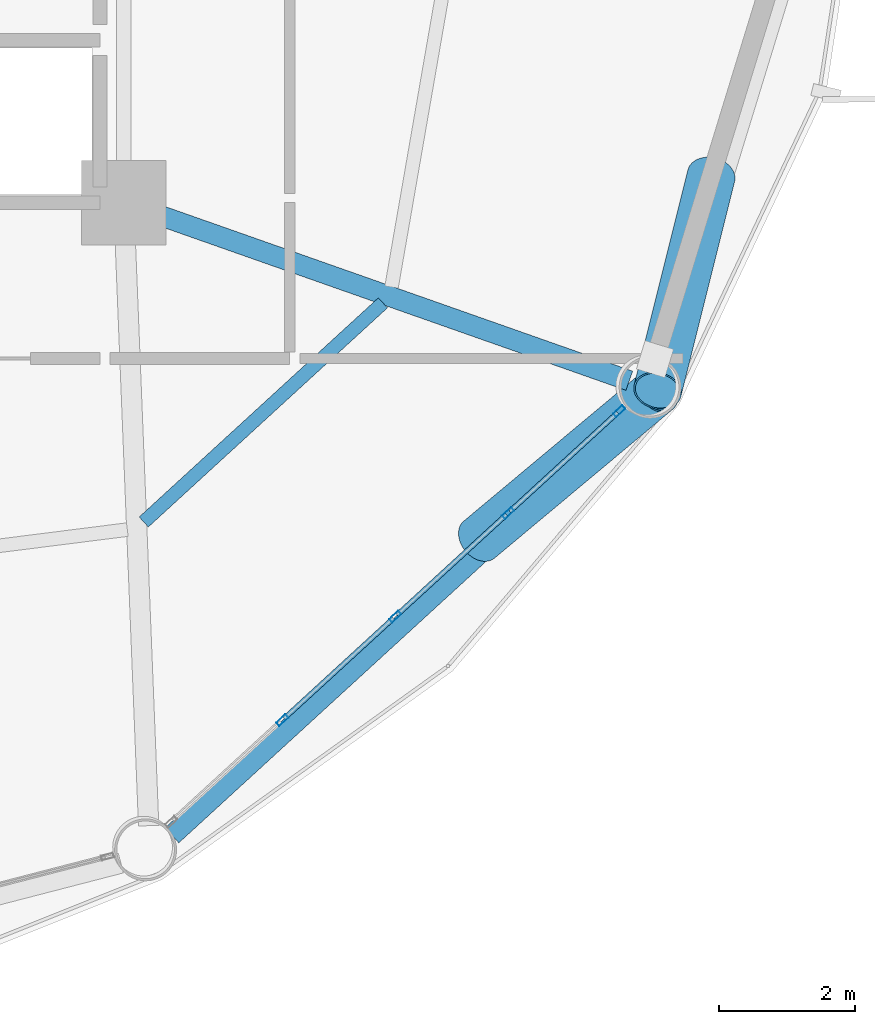
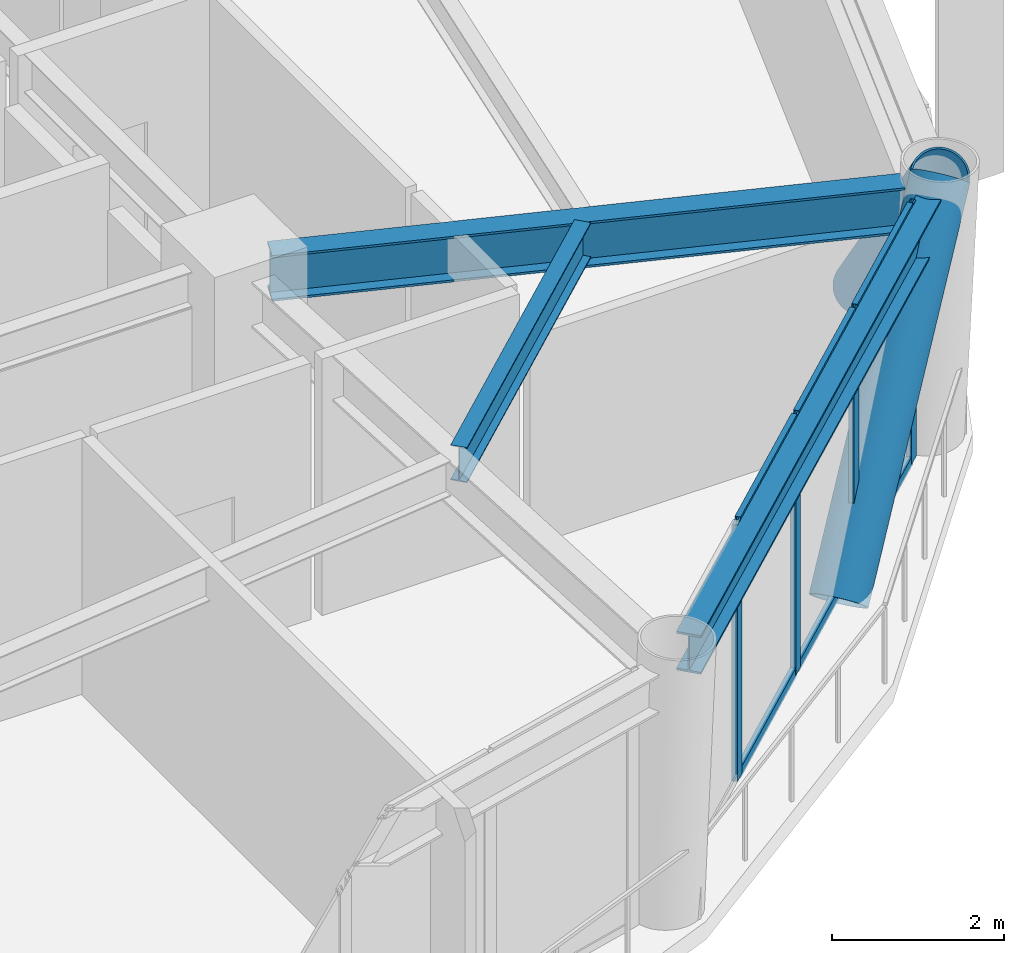
# One storey, part 14 of 25: 12 members, 3 beams, 1 element without a shape of its own.
"""IFC4 building model written with IfcOpenShell, lengths in metres."""

from ifc_helpers import new_model, si_unit, direction, frame, origin, origin_2d, place, context, subcontext, project, spatial, hollow_rectangle, hollow_circle, i_section, extrude, material, layer, layer_set, material_profile, profile_set, type_object, element, aggregate, save


model = new_model("IFC4")

# Units and contexts
model_context = context("Model", 3, precision=1e-05, world=origin(), true_north=direction((0.0, 1.0)))
body_context = subcontext(model_context, "Body", "Model", "MODEL_VIEW")
ifc_project = project(units=[si_unit("LENGTHUNIT", "METRE"), si_unit("AREAUNIT", "SQUARE_METRE"), si_unit("VOLUMEUNIT", "CUBIC_METRE"), si_unit("PLANEANGLEUNIT", "RADIAN"), si_unit("MASSUNIT", "GRAM", prefix="KILO")], contexts=[model_context])

# Site, building, storey
site_placement = place(None, origin())
site = spatial("IfcSite", under=ifc_project, at=site_placement, CompositionType="ELEMENT")
building_placement = place(site_placement, origin())
building = spatial("IfcBuilding", under=site, at=building_placement, Name="Varnakorn Sky Granary", CompositionType="ELEMENT")
storey_placement = place(building_placement, frame((0.0, 0.0, 35.39990234375)))
storey = spatial("IfcBuildingStorey", under=building, at=storey_placement, Name="L08", CompositionType="ELEMENT", Elevation=35.39990234375)

# Beams
ifc_material_1 = material(Name="Steel S355JR", Category="steel")
ifc_material_profile_1 = material_profile(ifc_material_1, i_section(OverallWidth=0.300048828125, OverallDepth=0.64990234375, WebThickness=0.01611328125, FlangeThickness=0.031005859375, at=origin_2d()), Name="HE 650 B")
ifc_profile_set_1 = profile_set([ifc_material_profile_1], Name="Steel S355JR")
beam_type_1 = type_object("IfcBeamType", Name="BM-RAD-Z1", PredefinedType="BEAM", material=ifc_profile_set_1)
beam_1_placement = place(storey_placement, frame((8.74609375, -6.739501953125, 3.315185546875), z_axis=(0.943236777244, -0.332121035249, 0.0), x_axis=(0.332121035249, 0.943236777244, 0.0)))
element("IfcBeam", 1, at=beam_1_placement, inside=storey, type_object=beam_type_1, Name="Radial Floor Girder RG12 L08", PredefinedType="BEAM", context=body_context, shape_type="SweptSolid", body=[
    extrude(i_section(OverallWidth=0.300048828125, OverallDepth=0.64990234375, WebThickness=0.01611328125, FlangeThickness=0.031005859375, at=origin_2d()), origin(), (0.0, 0.0, 1.0), 7.49072265625),
])
ifc_material_profile_2 = material_profile(ifc_material_1, i_section(OverallWidth=0.199951171875, OverallDepth=0.5, WebThickness=0.01025390625, FlangeThickness=0.01611328125, at=origin_2d()), Name="IPE 500")
ifc_profile_set_2 = profile_set([ifc_material_profile_2], Name="Steel S355JR")
beam_type_2 = type_object("IfcBeamType", Name="BM-SEC-Z1", PredefinedType="BEAM", material=ifc_profile_set_2)
beam_2_placement = place(storey_placement, frame((8.6455078125, -11.3125, 3.39013671875), z_axis=(0.73728324057, 0.675583764736, 0.0), x_axis=(-0.675583764736, 0.73728324057, 0.0)))
element("IfcBeam", 2, at=beam_2_placement, inside=storey, type_object=beam_type_2, Name="Secondary Floor Chord Beam MSB11 L08", PredefinedType="BEAM", context=body_context, shape_type="SweptSolid", body=[
    extrude(i_section(OverallWidth=0.199951171875, OverallDepth=0.5, WebThickness=0.01025390625, FlangeThickness=0.01611328125, at=origin_2d()), origin(), (0.0, 0.0, 1.0), 4.787841796875),
])
ifc_material_profile_3 = material_profile(ifc_material_1, i_section(OverallWidth=0.300048828125, OverallDepth=0.550048828125, WebThickness=0.014892578125, FlangeThickness=0.029052734375, at=origin_2d()), Name="HE 550 B")
ifc_profile_set_3 = profile_set([ifc_material_profile_3], Name="Steel S355JR")
beam_type_3 = type_object("IfcBeamType", Name="BM-SPD-Z1", PredefinedType="SPANDREL", material=ifc_profile_set_3)
beam_3_placement = place(storey_placement, frame((9.0615234375, -15.937744140625, 3.364990234375), z_axis=(0.737455592026, 0.675395624645, 0.0), x_axis=(-0.675395624645, 0.737455592026, 0.0)))
element("IfcBeam", 3, at=beam_3_placement, inside=storey, type_object=beam_type_3, Name="Perimeter Spandrel Ring Beam RB11 L08", PredefinedType="SPANDREL", context=body_context, shape_type="SweptSolid", body=[
    extrude(i_section(OverallWidth=0.300048828125, OverallDepth=0.550048828125, WebThickness=0.014892578125, FlangeThickness=0.029052734375, at=origin_2d()), origin(), (0.0, 0.0, 1.0), 9.2763671875),
])

# Curtain wall, members
ifc_material_2 = material(Name="Anodised Bronze Aluminium Alloy 6063-T6", Category="aluminium")
ifc_layer = layer(ifc_material_2, 0.18994140625, Name="Anodised Bronze Aluminium Alloy 6063-T6")
ifc_layer_set = layer_set([ifc_layer], Name="Anodised Bronze Aluminium Alloy 6063-T6")
curtain_wall_type = type_object("IfcCurtainWallType", Name="CW-FRM-1", PredefinedType="USERDEFINED", material=ifc_layer_set)
curtain_wall_placement = place(storey_placement, origin())
curtain_wall = element("IfcCurtainWall", 4, at=curtain_wall_placement, inside=storey, type_object=curtain_wall_type, Name="Unitised Curtain Wall CW3 CW-L08-B11", ObjectType="CURTAIN WALL", PredefinedType="USERDEFINED")
ifc_material_profile_4 = material_profile(ifc_material_2, hollow_rectangle(XDim=0.070068359375, YDim=0.18505859375, WallThickness=0.00390625, at=origin_2d()), Name="ALU MULL 70x185")
ifc_profile_set_4 = profile_set([ifc_material_profile_4], Name="Anodised Bronze Aluminium Alloy 6063-T6")
member_type_1 = type_object("IfcMemberType", Name="CW-FRM-1-MULL", PredefinedType="MULLION", material=ifc_profile_set_4)
member_1_placement = place(storey_placement, frame((15.6640625, -9.676025390625, 0.0), z_axis=(0.0, 0.0, 1.0), x_axis=(0.675878356504, -0.737013193375, 0.0)))
member_1 = element("IfcMember", 5, at=member_1_placement, type_object=member_type_1, Name="CW3 mullion 1", PredefinedType="MULLION", context=body_context, shape_type="SweptSolid", body=[
    extrude(hollow_rectangle(XDim=0.070068359375, YDim=0.18505859375, WallThickness=0.00390625, at=origin_2d()), origin(), (0.0, 0.0, 1.0), 3.64013671875),
])
member_2_placement = place(storey_placement, frame((14.023681640625, -11.18017578125, 0.0), z_axis=(0.0, 0.0, 1.0), x_axis=(0.675878356504, -0.737013193375, 0.0)))
member_2 = element("IfcMember", 6, at=member_2_placement, type_object=member_type_1, Name="CW3 mullion 2", PredefinedType="MULLION", context=body_context, shape_type="SweptSolid", body=[
    extrude(hollow_rectangle(XDim=0.070068359375, YDim=0.18505859375, WallThickness=0.00390625, at=origin_2d()), origin(), (0.0, 0.0, 1.0), 3.64013671875),
])
member_3_placement = place(storey_placement, frame((12.357666015625, -12.708251953125, 0.0), z_axis=(0.0, 0.0, 1.0), x_axis=(0.675878356504, -0.737013193375, 0.0)))
member_3 = element("IfcMember", 7, at=member_3_placement, type_object=member_type_1, Name="CW3 mullion 3", PredefinedType="MULLION", context=body_context, shape_type="SweptSolid", body=[
    extrude(hollow_rectangle(XDim=0.070068359375, YDim=0.18505859375, WallThickness=0.00390625, at=origin_2d()), origin(), (0.0, 0.0, 1.0), 3.64013671875),
])
member_4_placement = place(storey_placement, frame((10.691650390625, -14.236083984375, 0.0), z_axis=(0.0, 0.0, 1.0), x_axis=(0.675878356504, -0.737013193375, 0.0)))
member_4 = element("IfcMember", 8, at=member_4_placement, type_object=member_type_1, Name="CW3 mullion 4", PredefinedType="MULLION", context=body_context, shape_type="SweptSolid", body=[
    extrude(hollow_rectangle(XDim=0.070068359375, YDim=0.18505859375, WallThickness=0.00390625, at=origin_2d()), origin(), (0.0, 0.0, 1.0), 3.64013671875),
])
ifc_material_profile_5 = material_profile(ifc_material_2, hollow_rectangle(XDim=0.070068359375, YDim=0.139892578125, WallThickness=0.00341796875, at=origin_2d()), Name="ALU TRAN 70x140")
ifc_profile_set_5 = profile_set([ifc_material_profile_5], Name="Anodised Bronze Aluminium Alloy 6063-T6")
member_type_2 = type_object("IfcMemberType", Name="CW-FRM-1-TRAN", PredefinedType="USERDEFINED", material=ifc_profile_set_5)
member_5_placement = place(storey_placement, frame((15.63818359375, -9.69970703125, 0.03515625), z_axis=(-0.736970763083, -0.675924621804, 0.0), x_axis=(0.675924621804, -0.736970763083, 0.0)))
member_5 = element("IfcMember", 9, at=member_5_placement, type_object=member_type_2, Name="CW3 transom 1.1", ObjectType="TRANSOM", PredefinedType="USERDEFINED", context=body_context, shape_type="SweptSolid", body=[
    extrude(hollow_rectangle(XDim=0.070068359375, YDim=0.139892578125, WallThickness=0.00341796875, at=origin_2d()), origin(), (0.0, 0.0, 1.0), 2.155517578125),
])
member_6_placement = place(storey_placement, frame((15.63818359375, -9.69970703125, 3.60498046875), z_axis=(-0.736970763083, -0.675924621804, 0.0), x_axis=(0.675924621804, -0.736970763083, 0.0)))
member_6 = element("IfcMember", 10, at=member_6_placement, type_object=member_type_2, Name="CW3 transom 1.2", ObjectType="TRANSOM", PredefinedType="USERDEFINED", context=body_context, shape_type="SweptSolid", body=[
    extrude(hollow_rectangle(XDim=0.070068359375, YDim=0.139892578125, WallThickness=0.00341796875, at=origin_2d()), origin(), (0.0, 0.0, 1.0), 2.155517578125),
])
member_7_placement = place(storey_placement, frame((13.998046875, -11.203857421875, 0.03515625), z_axis=(-0.736982954511, -0.675911329066, 0.0), x_axis=(0.675911329066, -0.736982954511, 0.0)))
member_7 = element("IfcMember", 11, at=member_7_placement, type_object=member_type_2, Name="CW3 transom 2.1", ObjectType="TRANSOM", PredefinedType="USERDEFINED", context=body_context, shape_type="SweptSolid", body=[
    extrude(hollow_rectangle(XDim=0.070068359375, YDim=0.139892578125, WallThickness=0.00341796875, at=origin_2d()), origin(), (0.0, 0.0, 1.0), 2.190673828125),
])
member_8_placement = place(storey_placement, frame((13.998046875, -11.203857421875, 3.60498046875), z_axis=(-0.736982954511, -0.675911329066, 0.0), x_axis=(0.675911329066, -0.736982954511, 0.0)))
member_8 = element("IfcMember", 12, at=member_8_placement, type_object=member_type_2, Name="CW3 transom 2.2", ObjectType="TRANSOM", PredefinedType="USERDEFINED", context=body_context, shape_type="SweptSolid", body=[
    extrude(hollow_rectangle(XDim=0.070068359375, YDim=0.139892578125, WallThickness=0.00341796875, at=origin_2d()), origin(), (0.0, 0.0, 1.0), 2.190673828125),
])
member_9_placement = place(storey_placement, frame((12.331787109375, -12.731689453125, 0.03515625), z_axis=(-0.736982954511, -0.675911329066, 0.0), x_axis=(0.675911329066, -0.736982954511, 0.0)))
member_9 = element("IfcMember", 13, at=member_9_placement, type_object=member_type_2, Name="CW3 transom 3.1", ObjectType="TRANSOM", PredefinedType="USERDEFINED", context=body_context, shape_type="SweptSolid", body=[
    extrude(hollow_rectangle(XDim=0.070068359375, YDim=0.139892578125, WallThickness=0.00341796875, at=origin_2d()), origin(), (0.0, 0.0, 1.0), 2.190673828125),
])
member_10_placement = place(storey_placement, frame((12.331787109375, -12.731689453125, 3.60498046875), z_axis=(-0.736982954511, -0.675911329066, 0.0), x_axis=(0.675911329066, -0.736982954511, 0.0)))
member_10 = element("IfcMember", 14, at=member_10_placement, type_object=member_type_2, Name="CW3 transom 3.2", ObjectType="TRANSOM", PredefinedType="USERDEFINED", context=body_context, shape_type="SweptSolid", body=[
    extrude(hollow_rectangle(XDim=0.070068359375, YDim=0.139892578125, WallThickness=0.00341796875, at=origin_2d()), origin(), (0.0, 0.0, 1.0), 2.190673828125),
])
aggregate(curtain_wall, [member_1, member_2, member_3, member_4, member_5, member_6, member_7, member_8, member_9, member_10])

# Members
ifc_material_3 = material(Name="Steel S460M", Category="steel")
ifc_material_profile_6 = material_profile(ifc_material_3, hollow_circle(Radius=0.35546875, WallThickness=0.02490234375, at=origin_2d()), Name="CHS 711x25")
ifc_profile_set_6 = profile_set([ifc_material_profile_6], Name="Steel S460M")
member_type_3 = type_object("IfcMemberType", Name="MB-DIAG-T0", PredefinedType="BRACE", material=ifc_profile_set_6)
member_11_placement = place(storey_placement, frame((13.595458984375, -11.572998046875, -0.1298828125), z_axis=(0.516568466605, 0.431407712444, 0.739624502672), x_axis=(-0.641003042082, 0.767538337832, 0.0)))
element("IfcMember", 15, at=member_11_placement, inside=storey, type_object=member_type_3, Name="Perimeter CHS Diagrid Brace DG11 L08", PredefinedType="BRACE", context=body_context, shape_type="SweptSolid", body=[
    extrude(hollow_circle(Radius=0.35546875, WallThickness=0.02490234375, at=origin_2d()), origin(), (0.0, 0.0, 1.0), 5.09716796875),
])
member_12_placement = place(storey_placement, frame((17.02197265625, -6.201904296875, -0.1298828125), z_axis=(-0.158993905916, -0.63563317525, 0.755441198508), x_axis=(0.970111748275, -0.242658599392, 0.0)))
element("IfcMember", 16, at=member_12_placement, inside=storey, type_object=member_type_3, Name="Perimeter CHS Diagrid Brace DG12 L08", PredefinedType="BRACE", context=body_context, shape_type="SweptSolid", body=[
    extrude(hollow_circle(Radius=0.35546875, WallThickness=0.02490234375, at=origin_2d()), origin(), (0.0, 0.0, 1.0), 4.990478515625),
])

save(model, "model.ifc")
